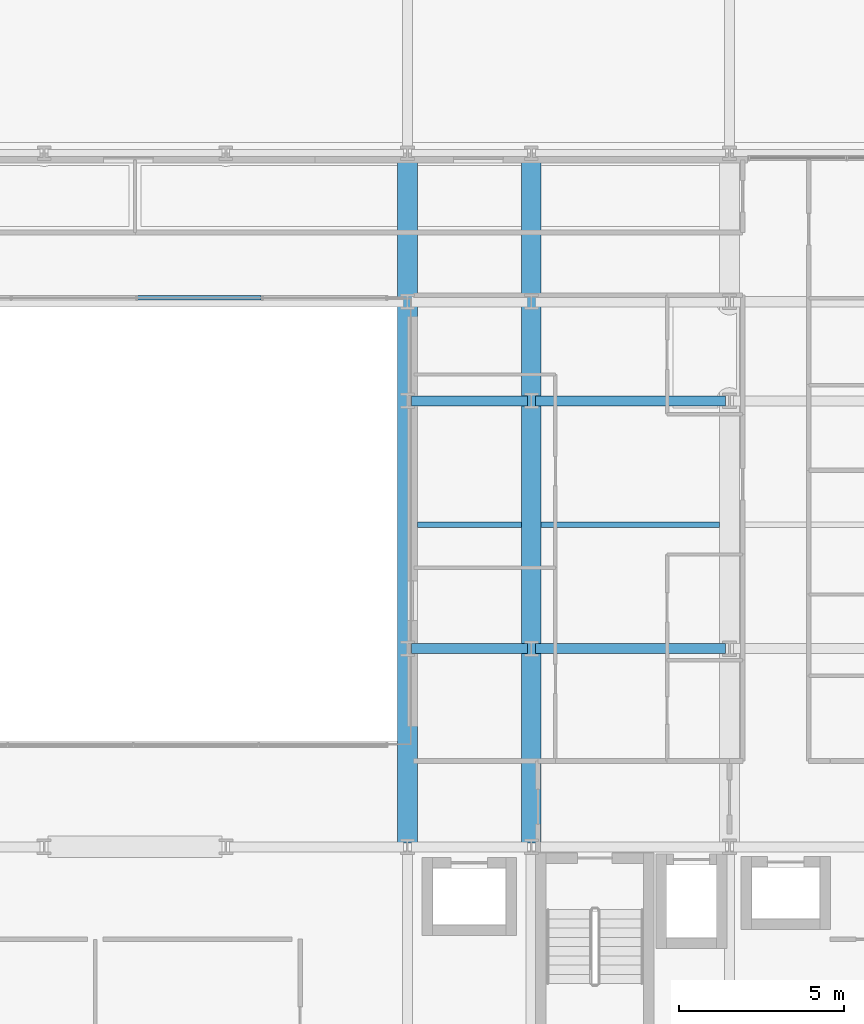
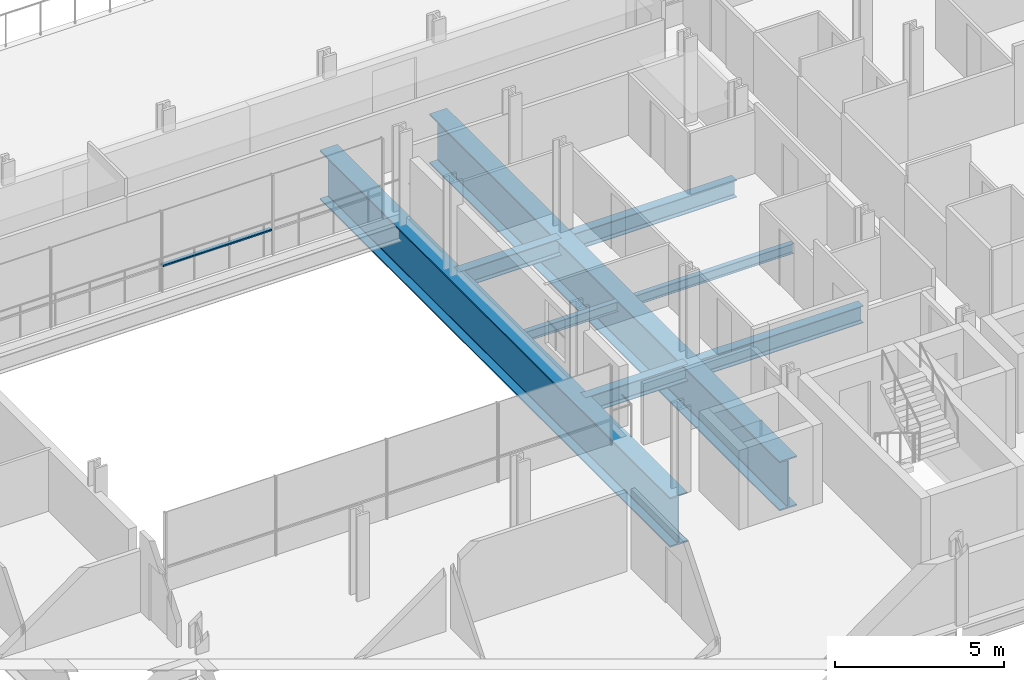
# One storey, part 16 of 38: 8 beams, 1 member, 1 element without a shape of its own.
"""IFC4 building model written with IfcOpenShell, lengths in metres."""

from ifc_helpers import new_model, si_unit, direction, frame, origin, origin_2d, place, context, subcontext, project, spatial, hollow_rectangle, i_section, extrude, material, layer, layer_set, material_profile, profile_set, type_object, element, aggregate, save


model = new_model("IFC4")

# Units and contexts
model_context = context("Model", 3, precision=1e-05, world=origin(), true_north=direction((0.0, 1.0)))
body_context = subcontext(model_context, "Body", "Model", "MODEL_VIEW")
ifc_project = project(units=[si_unit("LENGTHUNIT", "METRE"), si_unit("AREAUNIT", "SQUARE_METRE"), si_unit("VOLUMEUNIT", "CUBIC_METRE"), si_unit("PLANEANGLEUNIT", "RADIAN"), si_unit("MASSUNIT", "GRAM", prefix="KILO")], contexts=[model_context])

# Site, building, storey
site_placement = place(None, origin())
site = spatial("IfcSite", under=ifc_project, at=site_placement, CompositionType="ELEMENT")
building_placement = place(site_placement, origin())
building = spatial("IfcBuilding", under=site, at=building_placement, Name="Brevholm Reach", CompositionType="ELEMENT")
storey_placement = place(building_placement, frame((0.0, 0.0, 28.0)))
storey = spatial("IfcBuildingStorey", under=building, at=storey_placement, Name="L06", CompositionType="ELEMENT", Elevation=28.0)

# Beams
ifc_material_1 = material(Name="Structural Steel S355J2", Category="steel")
ifc_material_profile_1 = material_profile(ifc_material_1, i_section(OverallWidth=0.17138671875, OverallDepth=0.35498046875, WebThickness=0.00732421875, FlangeThickness=0.011474609375, FilletRadius=0.01025390625, at=origin_2d()), Name="UKB 356x171x51")
ifc_profile_set_1 = profile_set([ifc_material_profile_1], Name="Structural Steel S355J2")
beam_type_1 = type_object("IfcBeamType", Name="BM-B356", PredefinedType="BEAM", material=ifc_profile_set_1)
beam_1_placement = place(storey_placement, frame((38.550048828125, 19.75, -0.447509765625), z_axis=(1.0, 0.0, 0.0), x_axis=(0.0, 1.0, 0.0)))
element("IfcBeam", 1, at=beam_1_placement, inside=storey, type_object=beam_type_1, Name="L06 Composite Secondary Floor Beam", PredefinedType="BEAM", context=body_context, shape_type="SweptSolid", body=[
    extrude(i_section(OverallWidth=0.17138671875, OverallDepth=0.35498046875, WebThickness=0.00732421875, FlangeThickness=0.011474609375, FilletRadius=0.01025390625, at=origin_2d()), origin(), (0.0, 0.0, 1.0), 3.14990234375),
])
beam_2_placement = place(storey_placement, frame((42.300048828125, 19.75, -0.447509765625), z_axis=(1.0, 0.0, 0.0), x_axis=(0.0, 1.0, 0.0)))
element("IfcBeam", 2, at=beam_2_placement, inside=storey, type_object=beam_type_1, Name="L06 Composite Secondary Floor Beam", PredefinedType="BEAM", context=body_context, shape_type="SweptSolid", body=[
    extrude(i_section(OverallWidth=0.17138671875, OverallDepth=0.35498046875, WebThickness=0.00732421875, FlangeThickness=0.011474609375, FilletRadius=0.01025390625, at=origin_2d()), origin(), (0.0, 0.0, 1.0), 5.39990234375),
])
ifc_material_2 = material(Name="Structural Steel S460ML", Category="steel")
ifc_material_profile_2 = material_profile(ifc_material_2, i_section(OverallWidth=0.60009765625, OverallDepth=1.800048828125, WebThickness=0.034912109375, FlangeThickness=0.050048828125, FilletRadius=0.02392578125, at=origin_2d()), Name="PG 1800x600x50")
ifc_profile_set_2 = profile_set([ifc_material_profile_2], Name="Structural Steel S460ML")
beam_type_2 = type_object("IfcBeamType", Name="BM-PG1800", PredefinedType="USERDEFINED", material=ifc_profile_set_2)
for number, where, z_axis, x_axis, name in (
    (3, (38.25, 10.1201171875, -1.169921875), (0.0, 1.0, 0.0), (-1.0, 0.0, 0.0), "L06 TG-01 Framing Beam"),
    (4, (42.0, 10.1201171875, -1.169921875), (0.0, 1.0, 0.0), (-1.0, 0.0, 0.0), "L06 TG-01 Framing Beam"),
):
    element("IfcBeam", number, at=place(storey_placement, frame(where, z_axis=z_axis, x_axis=x_axis)), inside=storey, type_object=beam_type_2, Name=name, ObjectType="GIRDER", PredefinedType="USERDEFINED", context=body_context, shape_type="SweptSolid", body=[
        extrude(i_section(OverallWidth=0.60009765625, OverallDepth=1.800048828125, WebThickness=0.034912109375, FlangeThickness=0.050048828125, FilletRadius=0.02392578125, at=origin_2d()), origin(), (0.0, 0.0, 1.0), 20.759765625),
    ])
ifc_material_3 = material(Name="Structural Steel S355J2", Category="steel")
ifc_material_profile_3 = material_profile(ifc_material_3, i_section(OverallWidth=0.30712890625, OverallDepth=0.6201171875, WebThickness=0.01416015625, FlangeThickness=0.023681640625, FilletRadius=0.0166015625, at=origin_2d()), Name="UKB 610x305x179")
ifc_profile_set_3 = profile_set([ifc_material_profile_3], Name="Structural Steel S355J2")
beam_type_3 = type_object("IfcBeamType", Name="BM-UKB610H", PredefinedType="USERDEFINED", material=ifc_profile_set_3)
beam_3_placement = place(storey_placement, frame((38.3701171875, 16.0, -0.580078125), z_axis=(1.0, 0.0, 0.0), x_axis=(0.0, 1.0, 0.0)))
element("IfcBeam", 5, at=beam_3_placement, inside=storey, type_object=beam_type_3, Name="L06 G-06 Framing Beam", ObjectType="GIRDER", PredefinedType="USERDEFINED", context=body_context, shape_type="SweptSolid", body=[
    extrude(i_section(OverallWidth=0.30712890625, OverallDepth=0.6201171875, WebThickness=0.01416015625, FlangeThickness=0.023681640625, FilletRadius=0.0166015625, at=origin_2d()), origin(), (0.0, 0.0, 1.0), 3.509765625),
])
beam_4_placement = place(storey_placement, frame((42.1201171875, 16.0, -0.580078125), z_axis=(1.0, 0.0, 0.0), x_axis=(0.0, 1.0, 0.0)))
element("IfcBeam", 6, at=beam_4_placement, inside=storey, type_object=beam_type_3, Name="L06 G-06 Framing Beam", ObjectType="GIRDER", PredefinedType="USERDEFINED", context=body_context, shape_type="SweptSolid", body=[
    extrude(i_section(OverallWidth=0.30712890625, OverallDepth=0.6201171875, WebThickness=0.01416015625, FlangeThickness=0.023681640625, FilletRadius=0.0166015625, at=origin_2d()), origin(), (0.0, 0.0, 1.0), 5.759765625),
])
beam_5_placement = place(storey_placement, frame((38.3701171875, 23.5, -0.580078125), z_axis=(1.0, 0.0, 0.0), x_axis=(0.0, 1.0, 0.0)))
element("IfcBeam", 7, at=beam_5_placement, inside=storey, type_object=beam_type_3, Name="L06 G-06 Framing Beam", ObjectType="GIRDER", PredefinedType="USERDEFINED", context=body_context, shape_type="SweptSolid", body=[
    extrude(i_section(OverallWidth=0.30712890625, OverallDepth=0.6201171875, WebThickness=0.01416015625, FlangeThickness=0.023681640625, FilletRadius=0.0166015625, at=origin_2d()), origin(), (0.0, 0.0, 1.0), 3.509765625),
])
beam_6_placement = place(storey_placement, frame((42.1201171875, 23.5, -0.580078125), z_axis=(1.0, 0.0, 0.0), x_axis=(0.0, 1.0, 0.0)))
element("IfcBeam", 8, at=beam_6_placement, inside=storey, type_object=beam_type_3, Name="L06 G-06 Framing Beam", ObjectType="GIRDER", PredefinedType="USERDEFINED", context=body_context, shape_type="SweptSolid", body=[
    extrude(i_section(OverallWidth=0.30712890625, OverallDepth=0.6201171875, WebThickness=0.01416015625, FlangeThickness=0.023681640625, FilletRadius=0.0166015625, at=origin_2d()), origin(), (0.0, 0.0, 1.0), 5.759765625),
])

# Curtain wall, member
ifc_material_4 = material(Name="Dark Anodised Aluminium 6063-T6 and Solar-Control Glass", Category="aluminium")
ifc_layer = layer(ifc_material_4, 0.139892578125)
ifc_layer_set = layer_set([ifc_layer], Name="Dark Anodised Aluminium 6063-T6 and Solar-Control Glass")
curtain_wall_type = type_object("IfcCurtainWallType", Name="CW-02", PredefinedType="NOTDEFINED", material=ifc_layer_set)
curtain_wall_placement = place(storey_placement, origin())
curtain_wall = element("IfcCurtainWall", 9, at=curtain_wall_placement, inside=storey, type_object=curtain_wall_type, Name="L06 Curtain Wall CW-02", PredefinedType="NOTDEFINED")
ifc_material_5 = material(Name="Dark Anodised Aluminium 6063-T6", Category="aluminium")
ifc_material_profile_4 = material_profile(ifc_material_5, hollow_rectangle(XDim=0.06005859375, YDim=0.139892578125, WallThickness=0.0048828125, InnerFilletRadius=0.0048828125, OuterFilletRadius=0.010009765625, at=origin_2d()), Name="RHS 140x60x5")
ifc_profile_set_4 = profile_set([ifc_material_profile_4], Name="Dark Anodised Aluminium 6063-T6")
member_type = type_object("IfcMemberType", Name="CWT-140", PredefinedType="NOTDEFINED", material=ifc_profile_set_4)
member_placement = place(storey_placement, frame((33.820068359375, 26.6201171875, 0.89990234375), z_axis=(-1.0, 0.0, 0.0), x_axis=(0.0, 0.0, 1.0)))
member = element("IfcMember", 10, at=member_placement, type_object=member_type, Name="CT-140 Transom 2.1", ObjectType="TRANSOM", PredefinedType="USERDEFINED", context=body_context, shape_type="SweptSolid", body=[
    extrude(hollow_rectangle(XDim=0.06005859375, YDim=0.139892578125, WallThickness=0.0048828125, InnerFilletRadius=0.0048828125, OuterFilletRadius=0.010009765625, at=origin_2d()), origin(), (0.0, 0.0, 1.0), 3.739990234375),
])
aggregate(curtain_wall, [member])

save(model, "model.ifc")
